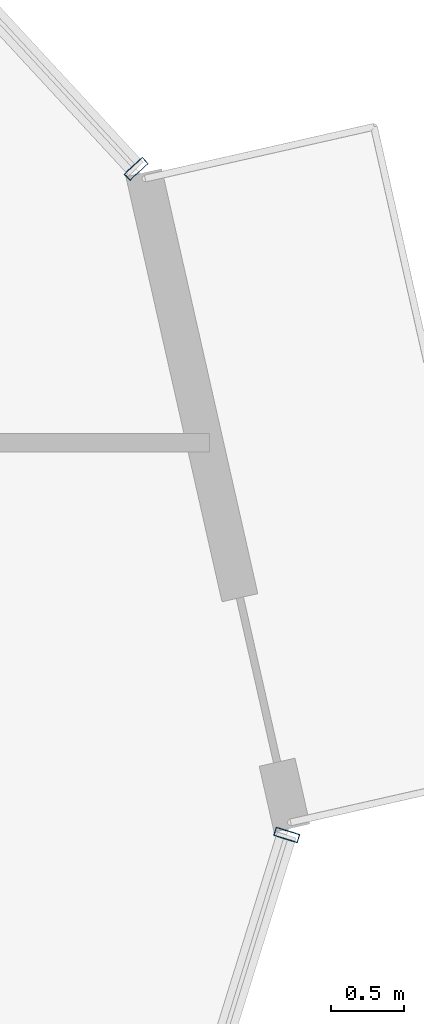
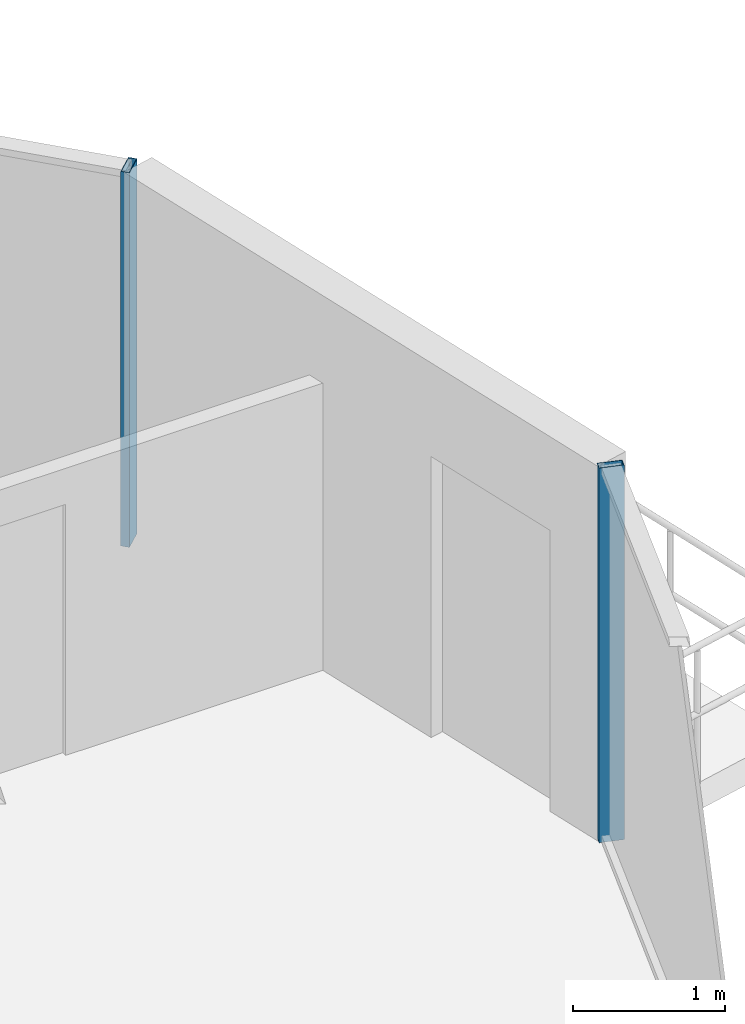
# One storey, part 21 of 39: 2 members, 2 elements without a shape of their own.
"""IFC4 building model written with IfcOpenShell, lengths in metres."""

from ifc_helpers import new_model, si_unit, direction, frame, origin, origin_2d, place, context, subcontext, project, spatial, hollow_rectangle, extrude, source, transform, mapped, material, layer, layer_set, material_profile, profile_set, type_object, element, aggregate, save


model = new_model("IFC4")

# Units and contexts
model_context = context("Model", 3, precision=1e-05, world=origin(), true_north=direction((0.0, 1.0)))
body_context = subcontext(model_context, "Body", "Model", "MODEL_VIEW")
ifc_project = project(units=[si_unit("LENGTHUNIT", "METRE"), si_unit("AREAUNIT", "SQUARE_METRE"), si_unit("VOLUMEUNIT", "CUBIC_METRE"), si_unit("PLANEANGLEUNIT", "RADIAN"), si_unit("MASSUNIT", "GRAM", prefix="KILO")], contexts=[model_context])

# Site, building, storey
site_placement = place(None, origin())
site = spatial("IfcSite", under=ifc_project, at=site_placement, CompositionType="ELEMENT")
building_placement = place(site_placement, origin())
building = spatial("IfcBuilding", under=site, at=building_placement, Name="Veraguas Prism Commons", CompositionType="ELEMENT")
storey_placement = place(building_placement, frame((0.0, 0.0, 67.35009765625)))
storey = spatial("IfcBuildingStorey", under=building, at=storey_placement, Name="L18", CompositionType="ELEMENT", Elevation=67.35009765625)

# Curtain wall, member
ifc_material = material(Name="Anodised aluminium EN AW-6063 T6", Category="aluminium")
ifc_layer = layer(ifc_material, 0.169921875, Name="Unitised Flush Curtain Wall Zone 1", Category="aluminium")
ifc_layer_set = layer_set([ifc_layer], Name="Anodised aluminium EN AW-6063 T6")
curtain_wall_type = type_object("IfcCurtainWallType", Name="Unitised Flush Curtain Wall Zone 1", PredefinedType="NOTDEFINED", material=ifc_layer_set)
curtain_wall_1_placement = place(storey_placement, origin())
curtain_wall_1 = element("IfcCurtainWall", 1, at=curtain_wall_1_placement, inside=storey, type_object=curtain_wall_type, Name="Tower Facade Curtain Wall L18-F1", PredefinedType="NOTDEFINED")
ifc_material_profile = material_profile(ifc_material, hollow_rectangle(XDim=0.06005859375, YDim=0.169921875, WallThickness=0.00390625, at=origin_2d()), Name="AL60X170X4")
ifc_profile_set = profile_set([ifc_material_profile], Name="Anodised aluminium EN AW-6063 T6")
member_type = type_object("IfcMemberType", Name="Curtain Wall Mullion Lower AL 60x170x4", PredefinedType="MULLION", material=ifc_profile_set)
shared_shape = source(origin(), body_context, "Body", "SweptSolid", [
    extrude(hollow_rectangle(XDim=0.06005859375, YDim=0.169921875, WallThickness=0.00390625, at=origin_2d()), origin(), (0.0, 0.0, 1.0), 3.0),
])
member_1_placement = place(storey_placement, frame((45.5849609375, 31.266845703125, 0.0), z_axis=(0.0, 0.0, 1.0), x_axis=(-0.678677699088, 0.734436233284, 0.0)))
member_1 = element("IfcMember", 2, at=member_1_placement, type_object=member_type, Name="CW-Z1 Mullion 1", PredefinedType="MULLION", context=body_context, shape_type="MappedRepresentation", body=[
    mapped(shared_shape, transform((0.0, 0.0, 0.0), scale=1.0)),
])
aggregate(curtain_wall_1, [member_1])

curtain_wall_2_placement = place(storey_placement, origin())
curtain_wall_2 = element("IfcCurtainWall", 3, at=curtain_wall_2_placement, inside=storey, type_object=curtain_wall_type, Name="Tower Facade Curtain Wall L18-F6", PredefinedType="NOTDEFINED")
member_2_placement = place(storey_placement, frame((46.611572265625, 26.7255859375, 0.0), z_axis=(0.0, 0.0, 1.0), x_axis=(0.296709919616, 0.954967655788, 0.0)))
member_2 = element("IfcMember", 4, at=member_2_placement, type_object=member_type, Name="CW-Z1 Mullion 5", PredefinedType="MULLION", context=body_context, shape_type="MappedRepresentation", body=[
    mapped(shared_shape, transform((0.0, 0.0, 0.0), scale=1.0)),
])
aggregate(curtain_wall_2, [member_2])

save(model, "model.ifc")
